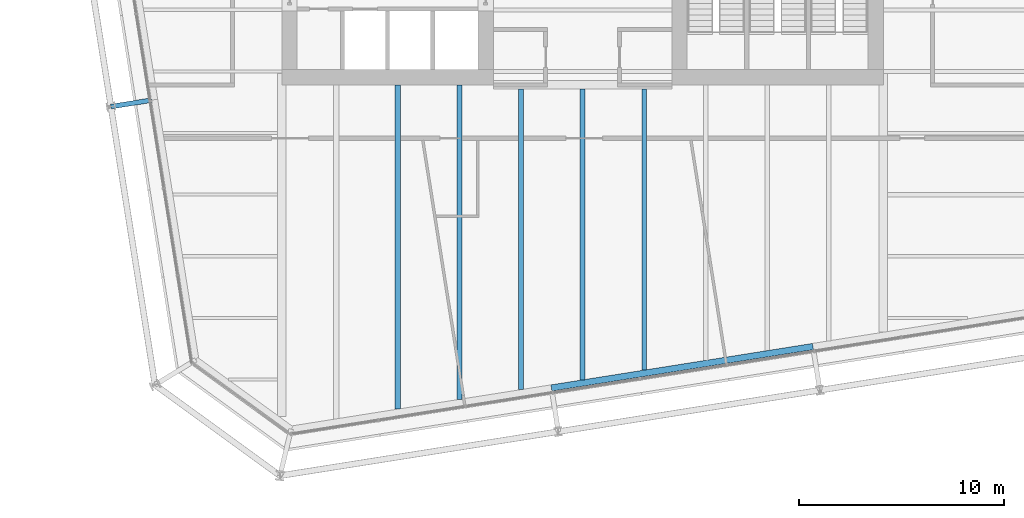
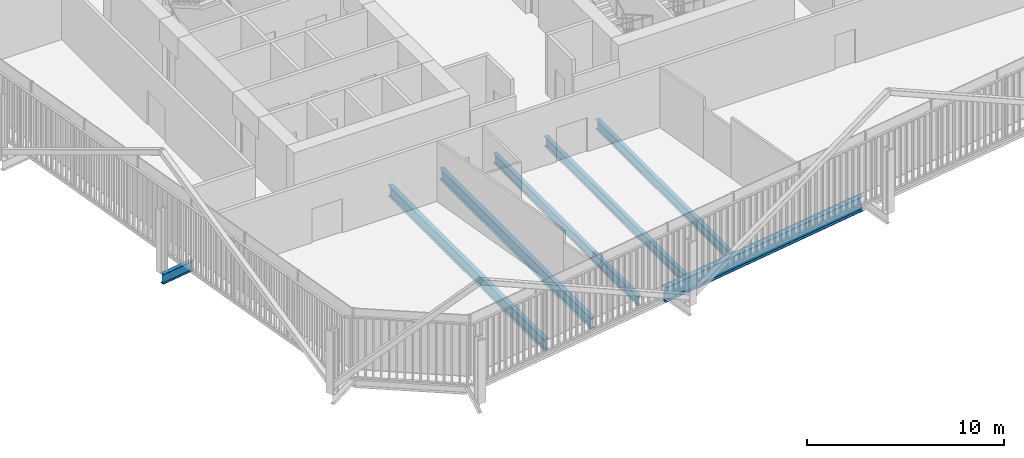
# One storey, part 3 of 22: 7 beams.
"""IFC4 building model written with IfcOpenShell, lengths in metres."""

from ifc_helpers import new_model, si_unit, direction, frame, origin, origin_2d, place, context, subcontext, project, spatial, i_section, extrude, material, material_profile, profile_set, type_object, element, save


model = new_model("IFC4")

# Units and contexts
model_context = context("Model", 3, precision=1e-05, world=origin(), true_north=direction((0.0, 1.0)))
body_context = subcontext(model_context, "Body", "Model", "MODEL_VIEW")
ifc_project = project(units=[si_unit("LENGTHUNIT", "METRE"), si_unit("AREAUNIT", "SQUARE_METRE"), si_unit("VOLUMEUNIT", "CUBIC_METRE"), si_unit("PLANEANGLEUNIT", "RADIAN"), si_unit("MASSUNIT", "GRAM", prefix="KILO")], contexts=[model_context])

# Site, building, storey
site_placement = place(None, origin())
site = spatial("IfcSite", under=ifc_project, at=site_placement, CompositionType="ELEMENT")
building_placement = place(site_placement, origin())
building = spatial("IfcBuilding", under=site, at=building_placement, Name="Millrace Tower", CompositionType="ELEMENT")
storey_placement = place(building_placement, frame((0.0, 0.0, 180.0)))
storey = spatial("IfcBuildingStorey", under=building, at=storey_placement, Name="L40", CompositionType="ELEMENT", Elevation=180.0)

# Beams
ifc_material_1 = material(Name="Steel ASTM A992 Grade 50", Category="steel")
ifc_material_profile_1 = material_profile(ifc_material_1, i_section(OverallWidth=0.228271484375, OverallDepth=0.607177734375, WebThickness=0.01123046875, FlangeThickness=0.017333984375, FilletRadius=0.0126953125, at=origin_2d()))
ifc_profile_set_1 = profile_set([ifc_material_profile_1], Name="Steel ASTM A992 Grade 50")
beam_type_1 = type_object("IfcBeamType", Name="Floor beam W24x76", PredefinedType="JOIST", material=ifc_profile_set_1)
beam_1_placement = place(storey_placement, frame((-3.0, -24.4970703125, -0.463623046875), z_axis=(0.0, 1.0, 0.0), x_axis=(-1.0, 0.0, 0.0)))
element("IfcBeam", 1, at=beam_1_placement, inside=storey, type_object=beam_type_1, Name="BM-C-L40-S1-S046", PredefinedType="JOIST", context=body_context, shape_type="SweptSolid", body=[
    extrude(i_section(OverallWidth=0.228271484375, OverallDepth=0.607177734375, WebThickness=0.01123046875, FlangeThickness=0.017333984375, FilletRadius=0.0126953125, at=origin_2d()), origin(), (0.0, 0.0, 1.0), 14.637451171875),
])
beam_2_placement = place(storey_placement, frame((0.0, -24.021728515625, -0.463623046875), z_axis=(0.0, 1.0, 0.0), x_axis=(-1.0, 0.0, 0.0)))
element("IfcBeam", 2, at=beam_2_placement, inside=storey, type_object=beam_type_1, Name="BM-C-L40-S1-S048", PredefinedType="JOIST", context=body_context, shape_type="SweptSolid", body=[
    extrude(i_section(OverallWidth=0.228271484375, OverallDepth=0.607177734375, WebThickness=0.01123046875, FlangeThickness=0.017333984375, FilletRadius=0.0126953125, at=origin_2d()), origin(), (0.0, 0.0, 1.0), 14.162109375),
])
beam_3_placement = place(storey_placement, frame((3.0, -23.546630859375, -0.463623046875), z_axis=(0.0, 1.0, 0.0), x_axis=(-1.0, 0.0, 0.0)))
element("IfcBeam", 3, at=beam_3_placement, inside=storey, type_object=beam_type_1, Name="BM-C-L40-S1-S050", PredefinedType="JOIST", context=body_context, shape_type="SweptSolid", body=[
    extrude(i_section(OverallWidth=0.228271484375, OverallDepth=0.607177734375, WebThickness=0.01123046875, FlangeThickness=0.017333984375, FilletRadius=0.0126953125, at=origin_2d()), origin(), (0.0, 0.0, 1.0), 13.68701171875),
])
ifc_material_2 = material(Name="Steel ASTM A992 Grade 50", Category="steel")
ifc_material_profile_2 = material_profile(ifc_material_2, i_section(OverallWidth=0.256591796875, OverallDepth=0.693359375, WebThickness=0.014404296875, FlangeThickness=0.023681640625, FilletRadius=0.01513671875, at=origin_2d()))
ifc_profile_set_2 = profile_set([ifc_material_profile_2], Name="Steel ASTM A992 Grade 50")
beam_type_2 = type_object("IfcBeamType", Name="Floor beam W27x114", PredefinedType="JOIST", material=ifc_profile_set_2)
beam_4_placement = place(storey_placement, frame((-9.0, -25.447265625, -0.506591796875), z_axis=(0.0, 1.0, 0.0), x_axis=(-1.0, 0.0, 0.0)))
element("IfcBeam", 4, at=beam_4_placement, inside=storey, type_object=beam_type_2, Name="BM-C-L40-S1-S042", PredefinedType="JOIST", context=body_context, shape_type="SweptSolid", body=[
    extrude(i_section(OverallWidth=0.256591796875, OverallDepth=0.693359375, WebThickness=0.014404296875, FlangeThickness=0.023681640625, FilletRadius=0.01513671875, at=origin_2d()), origin(), (0.0, 0.0, 1.0), 15.79736328125),
])
beam_5_placement = place(storey_placement, frame((-6.0, -24.97216796875, -0.506591796875), z_axis=(0.0, 1.0, 0.0), x_axis=(-1.0, 0.0, 0.0)))
element("IfcBeam", 5, at=beam_5_placement, inside=storey, type_object=beam_type_2, Name="BM-C-L40-S1-S044", PredefinedType="JOIST", context=body_context, shape_type="SweptSolid", body=[
    extrude(i_section(OverallWidth=0.256591796875, OverallDepth=0.693359375, WebThickness=0.014404296875, FlangeThickness=0.023681640625, FilletRadius=0.01513671875, at=origin_2d()), origin(), (0.0, 0.0, 1.0), 15.322265625),
])
ifc_material_3 = material(Name="Steel ASTM A992 Grade 50", Category="steel")
ifc_material_profile_3 = material_profile(ifc_material_3, i_section(OverallWidth=0.23046875, OverallDepth=0.6171875, WebThickness=0.01318359375, FlangeThickness=0.022216796875, FilletRadius=0.012939453125, at=origin_2d()))
ifc_profile_set_3 = profile_set([ifc_material_profile_3], Name="Steel ASTM A992 Grade 50")
beam_type_3 = type_object("IfcBeamType", Name="Link beam W24x94", PredefinedType="BEAM", material=ifc_profile_set_3)
beam_6_placement = place(storey_placement, frame((-21.001708984375, -10.396728515625, -0.468505859375), z_axis=(-0.987678691416, -0.156495375404, 0.0), x_axis=(0.156495375404, -0.987678691416, 0.0)))
element("IfcBeam", 6, at=beam_6_placement, inside=storey, type_object=beam_type_3, Name="LNK-C-L40-S1-02", PredefinedType="BEAM", context=body_context, shape_type="SweptSolid", body=[
    extrude(i_section(OverallWidth=0.23046875, OverallDepth=0.6171875, WebThickness=0.01318359375, FlangeThickness=0.022216796875, FilletRadius=0.012939453125, at=origin_2d()), origin(), (0.0, 0.0, 1.0), 2.0),
])
ifc_material_4 = material(Name="Steel ASTM A992 Grade 50", Category="steel")
ifc_material_profile_4 = material_profile(ifc_material_4, i_section(OverallWidth=0.307373046875, OverallDepth=0.927001953125, WebThickness=0.01953125, FlangeThickness=0.031982421875, FilletRadius=0.01904296875, at=origin_2d()))
ifc_profile_set_4 = profile_set([ifc_material_profile_4], Name="Steel ASTM A992 Grade 50")
beam_type_4 = type_object("IfcBeamType", Name="Ring beam medium span W36x194", PredefinedType="SPANDREL", material=ifc_profile_set_4)
beam_7_placement = place(storey_placement, frame((11.22265625, -22.39990234375, -0.62353515625), z_axis=(-0.987687196578, -0.156441687909, 0.0), x_axis=(0.156441687909, -0.987687196578, 0.0)))
element("IfcBeam", 7, at=beam_7_placement, inside=storey, type_object=beam_type_4, Name="RNG-C-L40-S1-14", PredefinedType="SPANDREL", context=body_context, shape_type="SweptSolid", body=[
    extrude(i_section(OverallWidth=0.307373046875, OverallDepth=0.927001953125, WebThickness=0.01953125, FlangeThickness=0.031982421875, FilletRadius=0.01904296875, at=origin_2d()), origin(), (0.0, 0.0, 1.0), 12.89990234375),
])

save(model, "model.ifc")
